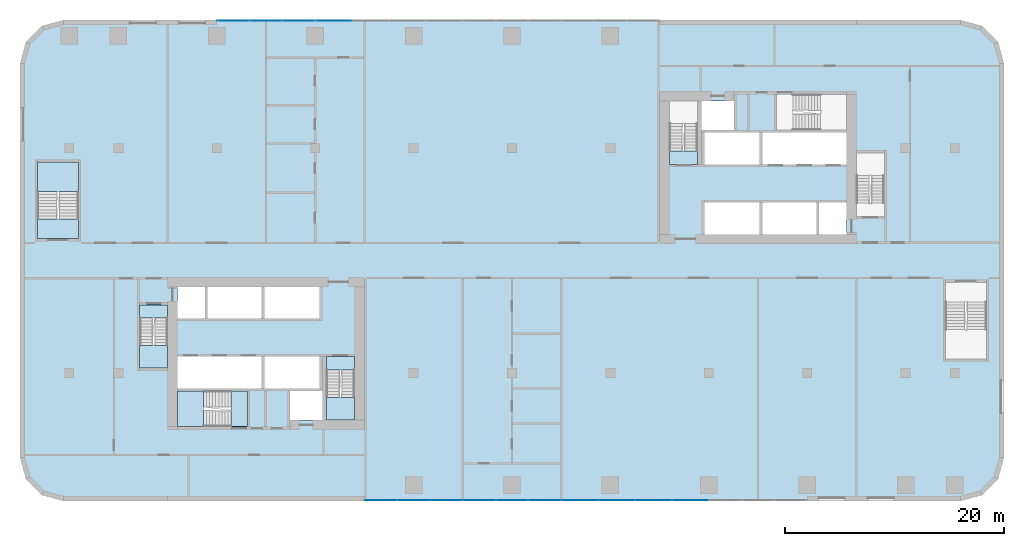
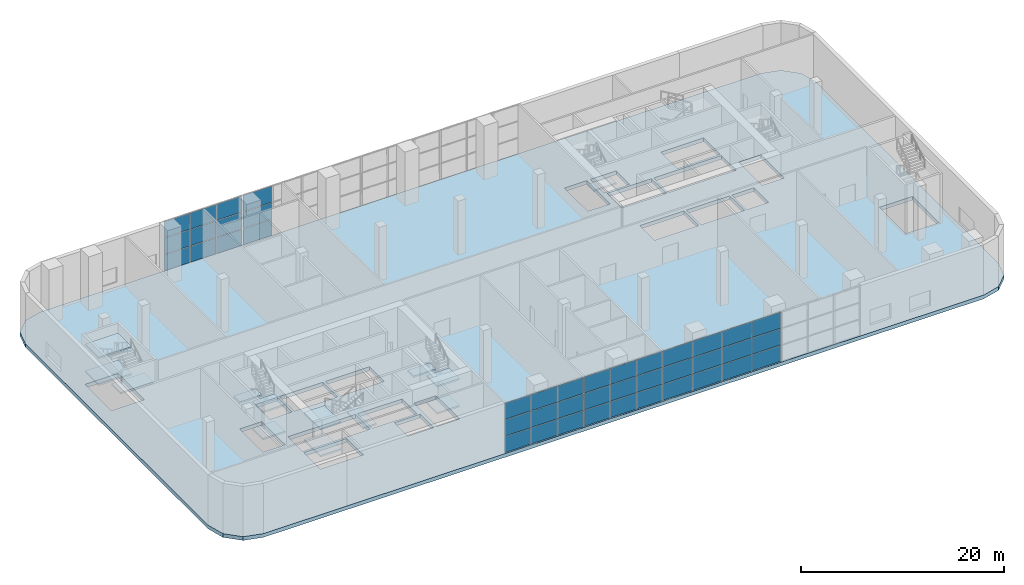
# One storey, part 6 of 24: 42 plates, 14 slabs, 10 elements without a shape of their own.
"""IFC4 building model written with IfcOpenShell, lengths in metres."""

from ifc_helpers import new_model, si_unit, direction, frame, origin, origin_2d, place, context, subcontext, project, spatial, polyline, rectangle, outline, extrude, material, layer, layer_set, type_object, element, aggregate, save


model = new_model("IFC4")

# Units and contexts
model_context = context("Model", 3, precision=1e-05, world=origin(), true_north=direction((0.0, 1.0)))
body_context = subcontext(model_context, "Body", "Model", "MODEL_VIEW")
ifc_project = project(units=[si_unit("LENGTHUNIT", "METRE"), si_unit("AREAUNIT", "SQUARE_METRE"), si_unit("VOLUMEUNIT", "CUBIC_METRE"), si_unit("PLANEANGLEUNIT", "RADIAN"), si_unit("MASSUNIT", "GRAM", prefix="KILO")], contexts=[model_context])

# Site, building, storey
site_placement = place(None, origin())
site = spatial("IfcSite", under=ifc_project, at=site_placement, CompositionType="ELEMENT")
building_placement = place(site_placement, origin())
building = spatial("IfcBuilding", under=site, at=building_placement, Name="Kajstack Hotel Tower", CompositionType="ELEMENT")
storey_placement = place(building_placement, frame((0.0, 0.0, 17.0)))
storey = spatial("IfcBuildingStorey", under=building, at=storey_placement, Name="L02", CompositionType="ELEMENT", Elevation=17.0)

# Curtain wall, plates
ifc_material_1 = material(Name="Aluminium-framed curtain wall, low-iron laminated glass", Category="aluminium")
curtain_wall_type = type_object("IfcCurtainWallType", Name="CW-DINING", PredefinedType="NOTDEFINED", material=ifc_material_1)
curtain_wall_1_placement = place(storey_placement, origin())
curtain_wall_1 = element("IfcCurtainWall", 1, at=curtain_wall_1_placement, inside=storey, type_object=curtain_wall_type, Name="Curtain wall CU2 L02-03-02-0", PredefinedType="NOTDEFINED")
ifc_material_2 = material(Name="Low-iron laminated glass", Category="glass")
ifc_layer_1 = layer(ifc_material_2, 0.030029296875)
ifc_layer_set_1 = layer_set([ifc_layer_1], Name="CW-P-DINING")
plate_type = type_object("IfcPlateType", Name="CW-P-DINING", PredefinedType="CURTAIN_PANEL", material=ifc_layer_set_1)
plate_1_placement = place(storey_placement, frame((-11.985107421875, -21.925048828125, 0.06005859375), z_axis=(0.0, 0.0, 1.0), x_axis=(1.0, 0.0, 0.0)))
plate_1 = element("IfcPlate", 2, at=plate_1_placement, type_object=plate_type, Name="CU2 panel 1.1", PredefinedType="CURTAIN_PANEL", context=body_context, shape_type="SweptSolid", body=[
    extrude(rectangle(XDim=2.909912109375, YDim=0.030029296875, at=origin_2d()), origin(), (0.0, 0.0, 1.0), 1.9267578125),
])
plate_2_placement = place(storey_placement, frame((-11.985107421875, -21.925048828125, 2.046630859375), z_axis=(0.0, 0.0, 1.0), x_axis=(1.0, 0.0, 0.0)))
plate_2 = element("IfcPlate", 3, at=plate_2_placement, type_object=plate_type, Name="CU2 panel 1.2", PredefinedType="CURTAIN_PANEL", context=body_context, shape_type="SweptSolid", body=[
    extrude(rectangle(XDim=2.909912109375, YDim=0.030029296875, at=origin_2d()), origin(), (0.0, 0.0, 1.0), 1.95654296875),
])
plate_3_placement = place(storey_placement, frame((-11.985107421875, -21.925048828125, 4.063232421875), z_axis=(0.0, 0.0, 1.0), x_axis=(1.0, 0.0, 0.0)))
plate_3 = element("IfcPlate", 4, at=plate_3_placement, type_object=plate_type, Name="CU2 panel 1.3", PredefinedType="CURTAIN_PANEL", context=body_context, shape_type="SweptSolid", body=[
    extrude(rectangle(XDim=2.909912109375, YDim=0.030029296875, at=origin_2d()), origin(), (0.0, 0.0, 1.0), 1.9267578125),
])
plate_4_placement = place(storey_placement, frame((-9.0, -21.925048828125, 0.06005859375), z_axis=(0.0, 0.0, 1.0), x_axis=(1.0, 0.0, 0.0)))
plate_4 = element("IfcPlate", 5, at=plate_4_placement, type_object=plate_type, Name="CU2 panel 2.1", PredefinedType="CURTAIN_PANEL", context=body_context, shape_type="SweptSolid", body=[
    extrude(rectangle(XDim=2.93994140625, YDim=0.030029296875, at=origin_2d()), origin(), (0.0, 0.0, 1.0), 1.9267578125),
])
plate_5_placement = place(storey_placement, frame((-9.0, -21.925048828125, 2.046630859375), z_axis=(0.0, 0.0, 1.0), x_axis=(1.0, 0.0, 0.0)))
plate_5 = element("IfcPlate", 6, at=plate_5_placement, type_object=plate_type, Name="CU2 panel 2.2", PredefinedType="CURTAIN_PANEL", context=body_context, shape_type="SweptSolid", body=[
    extrude(rectangle(XDim=2.93994140625, YDim=0.030029296875, at=origin_2d()), origin(), (0.0, 0.0, 1.0), 1.95654296875),
])
plate_6_placement = place(storey_placement, frame((-9.0, -21.925048828125, 4.063232421875), z_axis=(0.0, 0.0, 1.0), x_axis=(1.0, 0.0, 0.0)))
plate_6 = element("IfcPlate", 7, at=plate_6_placement, type_object=plate_type, Name="CU2 panel 2.3", PredefinedType="CURTAIN_PANEL", context=body_context, shape_type="SweptSolid", body=[
    extrude(rectangle(XDim=2.93994140625, YDim=0.030029296875, at=origin_2d()), origin(), (0.0, 0.0, 1.0), 1.9267578125),
])
plate_7_placement = place(storey_placement, frame((-6.014892578125, -21.925048828125, 0.06005859375), z_axis=(0.0, 0.0, 1.0), x_axis=(1.0, 0.0, 0.0)))
plate_7 = element("IfcPlate", 8, at=plate_7_placement, type_object=plate_type, Name="CU2 panel 3.1", PredefinedType="CURTAIN_PANEL", context=body_context, shape_type="SweptSolid", body=[
    extrude(rectangle(XDim=2.909912109375, YDim=0.030029296875, at=origin_2d()), origin(), (0.0, 0.0, 1.0), 1.9267578125),
])
plate_8_placement = place(storey_placement, frame((-6.014892578125, -21.925048828125, 2.046630859375), z_axis=(0.0, 0.0, 1.0), x_axis=(1.0, 0.0, 0.0)))
plate_8 = element("IfcPlate", 9, at=plate_8_placement, type_object=plate_type, Name="CU2 panel 3.2", PredefinedType="CURTAIN_PANEL", context=body_context, shape_type="SweptSolid", body=[
    extrude(rectangle(XDim=2.909912109375, YDim=0.030029296875, at=origin_2d()), origin(), (0.0, 0.0, 1.0), 1.95654296875),
])
plate_9_placement = place(storey_placement, frame((-6.014892578125, -21.925048828125, 4.063232421875), z_axis=(0.0, 0.0, 1.0), x_axis=(1.0, 0.0, 0.0)))
plate_9 = element("IfcPlate", 10, at=plate_9_placement, type_object=plate_type, Name="CU2 panel 3.3", PredefinedType="CURTAIN_PANEL", context=body_context, shape_type="SweptSolid", body=[
    extrude(rectangle(XDim=2.909912109375, YDim=0.030029296875, at=origin_2d()), origin(), (0.0, 0.0, 1.0), 1.9267578125),
])
aggregate(curtain_wall_1, [plate_1, plate_2, plate_3, plate_4, plate_5, plate_6, plate_7, plate_8, plate_9])

curtain_wall_2_placement = place(storey_placement, origin())
curtain_wall_2 = element("IfcCurtainWall", 11, at=curtain_wall_2_placement, inside=storey, type_object=curtain_wall_type, Name="Curtain wall CU2 L02-03-02-1", PredefinedType="NOTDEFINED")
plate_10_placement = place(storey_placement, frame((-2.985107421875, -21.925048828125, 0.06005859375), z_axis=(0.0, 0.0, 1.0), x_axis=(1.0, 0.0, 0.0)))
plate_10 = element("IfcPlate", 12, at=plate_10_placement, type_object=plate_type, Name="CU2 panel 1.1", PredefinedType="CURTAIN_PANEL", context=body_context, shape_type="SweptSolid", body=[
    extrude(rectangle(XDim=2.909912109375, YDim=0.030029296875, at=origin_2d()), origin(), (0.0, 0.0, 1.0), 1.9267578125),
])
plate_11_placement = place(storey_placement, frame((-2.985107421875, -21.925048828125, 2.046630859375), z_axis=(0.0, 0.0, 1.0), x_axis=(1.0, 0.0, 0.0)))
plate_11 = element("IfcPlate", 13, at=plate_11_placement, type_object=plate_type, Name="CU2 panel 1.2", PredefinedType="CURTAIN_PANEL", context=body_context, shape_type="SweptSolid", body=[
    extrude(rectangle(XDim=2.909912109375, YDim=0.030029296875, at=origin_2d()), origin(), (0.0, 0.0, 1.0), 1.95654296875),
])
plate_12_placement = place(storey_placement, frame((-2.985107421875, -21.925048828125, 4.063232421875), z_axis=(0.0, 0.0, 1.0), x_axis=(1.0, 0.0, 0.0)))
plate_12 = element("IfcPlate", 14, at=plate_12_placement, type_object=plate_type, Name="CU2 panel 1.3", PredefinedType="CURTAIN_PANEL", context=body_context, shape_type="SweptSolid", body=[
    extrude(rectangle(XDim=2.909912109375, YDim=0.030029296875, at=origin_2d()), origin(), (0.0, 0.0, 1.0), 1.9267578125),
])
plate_13_placement = place(storey_placement, frame((0.0, -21.925048828125, 0.06005859375), z_axis=(0.0, 0.0, 1.0), x_axis=(1.0, 0.0, 0.0)))
plate_13 = element("IfcPlate", 15, at=plate_13_placement, type_object=plate_type, Name="CU2 panel 2.1", PredefinedType="CURTAIN_PANEL", context=body_context, shape_type="SweptSolid", body=[
    extrude(rectangle(XDim=2.93994140625, YDim=0.030029296875, at=origin_2d()), origin(), (0.0, 0.0, 1.0), 1.9267578125),
])
plate_14_placement = place(storey_placement, frame((0.0, -21.925048828125, 2.046630859375), z_axis=(0.0, 0.0, 1.0), x_axis=(1.0, 0.0, 0.0)))
plate_14 = element("IfcPlate", 16, at=plate_14_placement, type_object=plate_type, Name="CU2 panel 2.2", PredefinedType="CURTAIN_PANEL", context=body_context, shape_type="SweptSolid", body=[
    extrude(rectangle(XDim=2.93994140625, YDim=0.030029296875, at=origin_2d()), origin(), (0.0, 0.0, 1.0), 1.95654296875),
])
plate_15_placement = place(storey_placement, frame((0.0, -21.925048828125, 4.063232421875), z_axis=(0.0, 0.0, 1.0), x_axis=(1.0, 0.0, 0.0)))
plate_15 = element("IfcPlate", 17, at=plate_15_placement, type_object=plate_type, Name="CU2 panel 2.3", PredefinedType="CURTAIN_PANEL", context=body_context, shape_type="SweptSolid", body=[
    extrude(rectangle(XDim=2.93994140625, YDim=0.030029296875, at=origin_2d()), origin(), (0.0, 0.0, 1.0), 1.9267578125),
])
plate_16_placement = place(storey_placement, frame((2.985107421875, -21.925048828125, 0.06005859375), z_axis=(0.0, 0.0, 1.0), x_axis=(1.0, 0.0, 0.0)))
plate_16 = element("IfcPlate", 18, at=plate_16_placement, type_object=plate_type, Name="CU2 panel 3.1", PredefinedType="CURTAIN_PANEL", context=body_context, shape_type="SweptSolid", body=[
    extrude(rectangle(XDim=2.909912109375, YDim=0.030029296875, at=origin_2d()), origin(), (0.0, 0.0, 1.0), 1.9267578125),
])
plate_17_placement = place(storey_placement, frame((2.985107421875, -21.925048828125, 2.046630859375), z_axis=(0.0, 0.0, 1.0), x_axis=(1.0, 0.0, 0.0)))
plate_17 = element("IfcPlate", 19, at=plate_17_placement, type_object=plate_type, Name="CU2 panel 3.2", PredefinedType="CURTAIN_PANEL", context=body_context, shape_type="SweptSolid", body=[
    extrude(rectangle(XDim=2.909912109375, YDim=0.030029296875, at=origin_2d()), origin(), (0.0, 0.0, 1.0), 1.95654296875),
])
plate_18_placement = place(storey_placement, frame((2.985107421875, -21.925048828125, 4.063232421875), z_axis=(0.0, 0.0, 1.0), x_axis=(1.0, 0.0, 0.0)))
plate_18 = element("IfcPlate", 20, at=plate_18_placement, type_object=plate_type, Name="CU2 panel 3.3", PredefinedType="CURTAIN_PANEL", context=body_context, shape_type="SweptSolid", body=[
    extrude(rectangle(XDim=2.909912109375, YDim=0.030029296875, at=origin_2d()), origin(), (0.0, 0.0, 1.0), 1.9267578125),
])
aggregate(curtain_wall_2, [plate_10, plate_11, plate_12, plate_13, plate_14, plate_15, plate_16, plate_17, plate_18])

curtain_wall_3_placement = place(storey_placement, origin())
curtain_wall_3 = element("IfcCurtainWall", 21, at=curtain_wall_3_placement, inside=storey, type_object=curtain_wall_type, Name="Curtain wall CU2 L02-03-02-2", PredefinedType="NOTDEFINED")
plate_19_placement = place(storey_placement, frame((6.202392578125, -21.925048828125, 0.06005859375), z_axis=(0.0, 0.0, 1.0), x_axis=(1.0, 0.0, 0.0)))
plate_19 = element("IfcPlate", 22, at=plate_19_placement, type_object=plate_type, Name="CU2 panel 1.1", PredefinedType="CURTAIN_PANEL", context=body_context, shape_type="SweptSolid", body=[
    extrude(rectangle(XDim=3.284912109375, YDim=0.030029296875, at=origin_2d()), origin(), (0.0, 0.0, 1.0), 1.9267578125),
])
plate_20_placement = place(storey_placement, frame((6.202392578125, -21.925048828125, 2.046630859375), z_axis=(0.0, 0.0, 1.0), x_axis=(1.0, 0.0, 0.0)))
plate_20 = element("IfcPlate", 23, at=plate_20_placement, type_object=plate_type, Name="CU2 panel 1.2", PredefinedType="CURTAIN_PANEL", context=body_context, shape_type="SweptSolid", body=[
    extrude(rectangle(XDim=3.284912109375, YDim=0.030029296875, at=origin_2d()), origin(), (0.0, 0.0, 1.0), 1.95654296875),
])
plate_21_placement = place(storey_placement, frame((6.202392578125, -21.925048828125, 4.063232421875), z_axis=(0.0, 0.0, 1.0), x_axis=(1.0, 0.0, 0.0)))
plate_21 = element("IfcPlate", 24, at=plate_21_placement, type_object=plate_type, Name="CU2 panel 1.3", PredefinedType="CURTAIN_PANEL", context=body_context, shape_type="SweptSolid", body=[
    extrude(rectangle(XDim=3.284912109375, YDim=0.030029296875, at=origin_2d()), origin(), (0.0, 0.0, 1.0), 1.9267578125),
])
plate_22_placement = place(storey_placement, frame((9.5625, -21.925048828125, 0.06005859375), z_axis=(0.0, 0.0, 1.0), x_axis=(1.0, 0.0, 0.0)))
plate_22 = element("IfcPlate", 25, at=plate_22_placement, type_object=plate_type, Name="CU2 panel 2.1", PredefinedType="CURTAIN_PANEL", context=body_context, shape_type="SweptSolid", body=[
    extrude(rectangle(XDim=3.31494140625, YDim=0.030029296875, at=origin_2d()), origin(), (0.0, 0.0, 1.0), 1.9267578125),
])
plate_23_placement = place(storey_placement, frame((9.5625, -21.925048828125, 2.046630859375), z_axis=(0.0, 0.0, 1.0), x_axis=(1.0, 0.0, 0.0)))
plate_23 = element("IfcPlate", 26, at=plate_23_placement, type_object=plate_type, Name="CU2 panel 2.2", PredefinedType="CURTAIN_PANEL", context=body_context, shape_type="SweptSolid", body=[
    extrude(rectangle(XDim=3.31494140625, YDim=0.030029296875, at=origin_2d()), origin(), (0.0, 0.0, 1.0), 1.95654296875),
])
plate_24_placement = place(storey_placement, frame((9.5625, -21.925048828125, 4.063232421875), z_axis=(0.0, 0.0, 1.0), x_axis=(1.0, 0.0, 0.0)))
plate_24 = element("IfcPlate", 27, at=plate_24_placement, type_object=plate_type, Name="CU2 panel 2.3", PredefinedType="CURTAIN_PANEL", context=body_context, shape_type="SweptSolid", body=[
    extrude(rectangle(XDim=3.31494140625, YDim=0.030029296875, at=origin_2d()), origin(), (0.0, 0.0, 1.0), 1.9267578125),
])
plate_25_placement = place(storey_placement, frame((12.9375, -21.925048828125, 0.06005859375), z_axis=(0.0, 0.0, 1.0), x_axis=(1.0, 0.0, 0.0)))
plate_25 = element("IfcPlate", 28, at=plate_25_placement, type_object=plate_type, Name="CU2 panel 3.1", PredefinedType="CURTAIN_PANEL", context=body_context, shape_type="SweptSolid", body=[
    extrude(rectangle(XDim=3.31494140625, YDim=0.030029296875, at=origin_2d()), origin(), (0.0, 0.0, 1.0), 1.9267578125),
])
plate_26_placement = place(storey_placement, frame((12.9375, -21.925048828125, 2.046630859375), z_axis=(0.0, 0.0, 1.0), x_axis=(1.0, 0.0, 0.0)))
plate_26 = element("IfcPlate", 29, at=plate_26_placement, type_object=plate_type, Name="CU2 panel 3.2", PredefinedType="CURTAIN_PANEL", context=body_context, shape_type="SweptSolid", body=[
    extrude(rectangle(XDim=3.31494140625, YDim=0.030029296875, at=origin_2d()), origin(), (0.0, 0.0, 1.0), 1.95654296875),
])
plate_27_placement = place(storey_placement, frame((12.9375, -21.925048828125, 4.063232421875), z_axis=(0.0, 0.0, 1.0), x_axis=(1.0, 0.0, 0.0)))
plate_27 = element("IfcPlate", 30, at=plate_27_placement, type_object=plate_type, Name="CU2 panel 3.3", PredefinedType="CURTAIN_PANEL", context=body_context, shape_type="SweptSolid", body=[
    extrude(rectangle(XDim=3.31494140625, YDim=0.030029296875, at=origin_2d()), origin(), (0.0, 0.0, 1.0), 1.9267578125),
])
plate_28_placement = place(storey_placement, frame((16.297607421875, -21.925048828125, 0.06005859375), z_axis=(0.0, 0.0, 1.0), x_axis=(1.0, 0.0, 0.0)))
plate_28 = element("IfcPlate", 31, at=plate_28_placement, type_object=plate_type, Name="CU2 panel 4.1", PredefinedType="CURTAIN_PANEL", context=body_context, shape_type="SweptSolid", body=[
    extrude(rectangle(XDim=3.284912109375, YDim=0.030029296875, at=origin_2d()), origin(), (0.0, 0.0, 1.0), 1.9267578125),
])
plate_29_placement = place(storey_placement, frame((16.297607421875, -21.925048828125, 2.046630859375), z_axis=(0.0, 0.0, 1.0), x_axis=(1.0, 0.0, 0.0)))
plate_29 = element("IfcPlate", 32, at=plate_29_placement, type_object=plate_type, Name="CU2 panel 4.2", PredefinedType="CURTAIN_PANEL", context=body_context, shape_type="SweptSolid", body=[
    extrude(rectangle(XDim=3.284912109375, YDim=0.030029296875, at=origin_2d()), origin(), (0.0, 0.0, 1.0), 1.95654296875),
])
plate_30_placement = place(storey_placement, frame((16.297607421875, -21.925048828125, 4.063232421875), z_axis=(0.0, 0.0, 1.0), x_axis=(1.0, 0.0, 0.0)))
plate_30 = element("IfcPlate", 33, at=plate_30_placement, type_object=plate_type, Name="CU2 panel 4.3", PredefinedType="CURTAIN_PANEL", context=body_context, shape_type="SweptSolid", body=[
    extrude(rectangle(XDim=3.284912109375, YDim=0.030029296875, at=origin_2d()), origin(), (0.0, 0.0, 1.0), 1.9267578125),
])
aggregate(curtain_wall_3, [plate_19, plate_20, plate_21, plate_22, plate_23, plate_24, plate_25, plate_26, plate_27, plate_28, plate_29, plate_30])

curtain_wall_4_placement = place(storey_placement, origin())
curtain_wall_4 = element("IfcCurtainWall", 34, at=curtain_wall_4_placement, inside=storey, type_object=curtain_wall_type, Name="Curtain wall CU2 L02-11-02-2", PredefinedType="NOTDEFINED")
plate_31_placement = place(storey_placement, frame((-16.297607421875, 21.925048828125, 0.06005859375), z_axis=(0.0, 0.0, 1.0), x_axis=(-1.0, 0.0, 0.0)))
plate_31 = element("IfcPlate", 35, at=plate_31_placement, type_object=plate_type, Name="CU2 panel 4.1", PredefinedType="CURTAIN_PANEL", context=body_context, shape_type="SweptSolid", body=[
    extrude(rectangle(XDim=3.284912109375, YDim=0.030029296875, at=origin_2d()), origin(), (0.0, 0.0, 1.0), 1.9267578125),
])
plate_32_placement = place(storey_placement, frame((-16.297607421875, 21.925048828125, 2.046630859375), z_axis=(0.0, 0.0, 1.0), x_axis=(-1.0, 0.0, 0.0)))
plate_32 = element("IfcPlate", 36, at=plate_32_placement, type_object=plate_type, Name="CU2 panel 4.2", PredefinedType="CURTAIN_PANEL", context=body_context, shape_type="SweptSolid", body=[
    extrude(rectangle(XDim=3.284912109375, YDim=0.030029296875, at=origin_2d()), origin(), (0.0, 0.0, 1.0), 1.95654296875),
])
plate_33_placement = place(storey_placement, frame((-16.297607421875, 21.925048828125, 4.063232421875), z_axis=(0.0, 0.0, 1.0), x_axis=(-1.0, 0.0, 0.0)))
plate_33 = element("IfcPlate", 37, at=plate_33_placement, type_object=plate_type, Name="CU2 panel 4.3", PredefinedType="CURTAIN_PANEL", context=body_context, shape_type="SweptSolid", body=[
    extrude(rectangle(XDim=3.284912109375, YDim=0.030029296875, at=origin_2d()), origin(), (0.0, 0.0, 1.0), 1.9267578125),
])
aggregate(curtain_wall_4, [plate_31, plate_32, plate_33])

curtain_wall_5_placement = place(storey_placement, origin())
curtain_wall_5 = element("IfcCurtainWall", 38, at=curtain_wall_5_placement, inside=storey, type_object=curtain_wall_type, Name="Curtain wall CU2 L02-11-02-3", PredefinedType="NOTDEFINED")
plate_34_placement = place(storey_placement, frame((-19.514892578125, 21.925048828125, 0.06005859375), z_axis=(0.0, 0.0, 1.0), x_axis=(-1.0, 0.0, 0.0)))
plate_34 = element("IfcPlate", 39, at=plate_34_placement, type_object=plate_type, Name="CU2 panel 1.1", PredefinedType="CURTAIN_PANEL", context=body_context, shape_type="SweptSolid", body=[
    extrude(rectangle(XDim=2.909912109375, YDim=0.030029296875, at=origin_2d()), origin(), (0.0, 0.0, 1.0), 1.9267578125),
])
plate_35_placement = place(storey_placement, frame((-19.514892578125, 21.925048828125, 2.046630859375), z_axis=(0.0, 0.0, 1.0), x_axis=(-1.0, 0.0, 0.0)))
plate_35 = element("IfcPlate", 40, at=plate_35_placement, type_object=plate_type, Name="CU2 panel 1.2", PredefinedType="CURTAIN_PANEL", context=body_context, shape_type="SweptSolid", body=[
    extrude(rectangle(XDim=2.909912109375, YDim=0.030029296875, at=origin_2d()), origin(), (0.0, 0.0, 1.0), 1.95654296875),
])
plate_36_placement = place(storey_placement, frame((-19.514892578125, 21.925048828125, 4.063232421875), z_axis=(0.0, 0.0, 1.0), x_axis=(-1.0, 0.0, 0.0)))
plate_36 = element("IfcPlate", 41, at=plate_36_placement, type_object=plate_type, Name="CU2 panel 1.3", PredefinedType="CURTAIN_PANEL", context=body_context, shape_type="SweptSolid", body=[
    extrude(rectangle(XDim=2.909912109375, YDim=0.030029296875, at=origin_2d()), origin(), (0.0, 0.0, 1.0), 1.9267578125),
])
plate_37_placement = place(storey_placement, frame((-22.5, 21.925048828125, 0.06005859375), z_axis=(0.0, 0.0, 1.0), x_axis=(-1.0, 0.0, 0.0)))
plate_37 = element("IfcPlate", 42, at=plate_37_placement, type_object=plate_type, Name="CU2 panel 2.1", PredefinedType="CURTAIN_PANEL", context=body_context, shape_type="SweptSolid", body=[
    extrude(rectangle(XDim=2.93994140625, YDim=0.030029296875, at=origin_2d()), origin(), (0.0, 0.0, 1.0), 1.9267578125),
])
plate_38_placement = place(storey_placement, frame((-22.5, 21.925048828125, 2.046630859375), z_axis=(0.0, 0.0, 1.0), x_axis=(-1.0, 0.0, 0.0)))
plate_38 = element("IfcPlate", 43, at=plate_38_placement, type_object=plate_type, Name="CU2 panel 2.2", PredefinedType="CURTAIN_PANEL", context=body_context, shape_type="SweptSolid", body=[
    extrude(rectangle(XDim=2.93994140625, YDim=0.030029296875, at=origin_2d()), origin(), (0.0, 0.0, 1.0), 1.95654296875),
])
plate_39_placement = place(storey_placement, frame((-22.5, 21.925048828125, 4.063232421875), z_axis=(0.0, 0.0, 1.0), x_axis=(-1.0, 0.0, 0.0)))
plate_39 = element("IfcPlate", 44, at=plate_39_placement, type_object=plate_type, Name="CU2 panel 2.3", PredefinedType="CURTAIN_PANEL", context=body_context, shape_type="SweptSolid", body=[
    extrude(rectangle(XDim=2.93994140625, YDim=0.030029296875, at=origin_2d()), origin(), (0.0, 0.0, 1.0), 1.9267578125),
])
plate_40_placement = place(storey_placement, frame((-25.485107421875, 21.925048828125, 0.06005859375), z_axis=(0.0, 0.0, 1.0), x_axis=(-1.0, 0.0, 0.0)))
plate_40 = element("IfcPlate", 45, at=plate_40_placement, type_object=plate_type, Name="CU2 panel 3.1", PredefinedType="CURTAIN_PANEL", context=body_context, shape_type="SweptSolid", body=[
    extrude(rectangle(XDim=2.909912109375, YDim=0.030029296875, at=origin_2d()), origin(), (0.0, 0.0, 1.0), 1.9267578125),
])
plate_41_placement = place(storey_placement, frame((-25.485107421875, 21.925048828125, 2.046630859375), z_axis=(0.0, 0.0, 1.0), x_axis=(-1.0, 0.0, 0.0)))
plate_41 = element("IfcPlate", 46, at=plate_41_placement, type_object=plate_type, Name="CU2 panel 3.2", PredefinedType="CURTAIN_PANEL", context=body_context, shape_type="SweptSolid", body=[
    extrude(rectangle(XDim=2.909912109375, YDim=0.030029296875, at=origin_2d()), origin(), (0.0, 0.0, 1.0), 1.95654296875),
])
plate_42_placement = place(storey_placement, frame((-25.485107421875, 21.925048828125, 4.063232421875), z_axis=(0.0, 0.0, 1.0), x_axis=(-1.0, 0.0, 0.0)))
plate_42 = element("IfcPlate", 47, at=plate_42_placement, type_object=plate_type, Name="CU2 panel 3.3", PredefinedType="CURTAIN_PANEL", context=body_context, shape_type="SweptSolid", body=[
    extrude(rectangle(XDim=2.909912109375, YDim=0.030029296875, at=origin_2d()), origin(), (0.0, 0.0, 1.0), 1.9267578125),
])
aggregate(curtain_wall_5, [plate_34, plate_35, plate_36, plate_37, plate_38, plate_39, plate_40, plate_41, plate_42])

# Slab
ifc_material_3 = material(Name="Concrete C45/55", Category="concrete")
ifc_layer_2 = layer(ifc_material_3, 0.449951171875)
ifc_layer_set_2 = layer_set([ifc_layer_2], Name="RC slab 450 C45/55 podium")
slab_type_1 = type_object("IfcSlabType", Name="RC slab 450 C45/55 podium", PredefinedType="FLOOR", material=ifc_layer_set_2)
slab_1_placement = place(storey_placement, frame((0.0, 0.0, -0.449951171875)))
element("IfcSlab", 48, at=slab_1_placement, inside=storey, type_object=slab_type_1, Name="S-slab-L02", PredefinedType="FLOOR", context=body_context, shape_type="SweptSolid", body=[
    extrude(outline(polyline([(-45.0, -18.0), (-44.464111328125, -20.0), (-43.0, -21.464111328125), (-41.0, -22.0), (41.0, -22.0), (43.0, -21.464111328125), (44.464111328125, -20.0), (45.0, -18.0), (45.0, 18.0), (44.464111328125, 20.0), (43.0, 21.464111328125), (41.0, 22.0), (-41.0, 22.0), (-43.0, 21.464111328125), (-44.464111328125, 20.0), (-45.0, 18.0), (-45.0, -18.0)]), holes=[polyline([(-30.60009765625, -11.699951171875), (-30.60009765625, -8.800048828125), (-22.89990234375, -8.800048828125), (-22.89990234375, -11.699951171875), (-30.60009765625, -11.699951171875)]), polyline([(-22.64990234375, -11.699951171875), (-22.64990234375, -8.800048828125), (-17.60009765625, -8.800048828125), (-17.60009765625, -11.699951171875), (-22.64990234375, -11.699951171875)]), polyline([(-27.85009765625, -5.300048828125), (-27.85009765625, -2.39990234375), (-22.89990234375, -2.39990234375), (-22.89990234375, -5.300048828125), (-27.85009765625, -5.300048828125)]), polyline([(-22.64990234375, -5.300048828125), (-22.64990234375, -2.39990234375), (-17.60009765625, -2.39990234375), (-17.60009765625, -5.300048828125), (-22.64990234375, -5.300048828125)]), polyline([(-20.300048828125, -14.60009765625), (-17.35009765625, -14.60009765625), (-17.35009765625, -11.949951171875), (-20.300048828125, -11.949951171875), (-20.300048828125, -14.60009765625)]), polyline([(-30.60009765625, -5.300048828125), (-28.10009765625, -5.300048828125), (-28.10009765625, -2.39990234375), (-30.60009765625, -2.39990234375), (-30.60009765625, -5.300048828125)]), polyline([(22.89990234375, 8.800048828125), (22.89990234375, 11.699951171875), (30.60009765625, 11.699951171875), (30.60009765625, 8.800048828125), (22.89990234375, 8.800048828125)]), polyline([(17.60009765625, 8.800048828125), (17.60009765625, 11.699951171875), (22.64990234375, 11.699951171875), (22.64990234375, 8.800048828125), (17.60009765625, 8.800048828125)]), polyline([(22.89990234375, 2.39990234375), (22.89990234375, 5.300048828125), (27.85009765625, 5.300048828125), (27.85009765625, 2.39990234375), (22.89990234375, 2.39990234375)]), polyline([(17.60009765625, 2.39990234375), (17.60009765625, 5.300048828125), (22.64990234375, 5.300048828125), (22.64990234375, 2.39990234375), (17.60009765625, 2.39990234375)]), polyline([(20.300048828125, 14.60009765625), (17.35009765625, 14.60009765625), (17.35009765625, 11.949951171875), (20.300048828125, 11.949951171875), (20.300048828125, 14.60009765625)]), polyline([(30.60009765625, 5.300048828125), (28.10009765625, 5.300048828125), (28.10009765625, 2.39990234375), (30.60009765625, 2.39990234375), (30.60009765625, 5.300048828125)]), polyline([(-34.050048828125, -9.85009765625), (-31.5, -9.85009765625), (-31.5, -5.25), (-34.050048828125, -5.25), (-34.050048828125, -9.85009765625)]), polyline([(-16.949951171875, -14.60009765625), (-14.39990234375, -14.60009765625), (-14.39990234375, -10.0), (-16.949951171875, -10.0), (-16.949951171875, -14.60009765625)]), polyline([(-30.60009765625, -15.199951171875), (-25.699951171875, -15.199951171875), (-25.699951171875, -11.949951171875), (-30.60009765625, -11.949951171875), (-30.60009765625, -15.199951171875)]), polyline([(34.050048828125, 9.85009765625), (31.5, 9.85009765625), (31.5, 5.25), (34.050048828125, 5.25), (34.050048828125, 9.85009765625)]), polyline([(16.949951171875, 14.60009765625), (14.39990234375, 14.60009765625), (14.39990234375, 10.0), (16.949951171875, 10.0), (16.949951171875, 14.60009765625)]), polyline([(30.60009765625, 15.199951171875), (25.699951171875, 15.199951171875), (25.699951171875, 11.949951171875), (30.60009765625, 11.949951171875), (30.60009765625, 15.199951171875)]), polyline([(-43.39990234375, 3.800048828125), (-39.64990234375, 3.800048828125), (-39.64990234375, 9.0), (-43.39990234375, 9.0), (-43.39990234375, 3.800048828125)]), polyline([(39.64990234375, -9.0), (43.39990234375, -9.0), (43.39990234375, -3.800048828125), (39.64990234375, -3.800048828125), (39.64990234375, -9.0)])]), origin(), (0.0, 0.0, 1.0), 0.449951171875),
])

# Stair, slabs
ifc_material_4 = material(Name="Concrete C40/50", Category="concrete")
stair_type_1 = type_object("IfcStairType", Name="Exit stair 1200", PredefinedType="HALF_TURN_STAIR", material=ifc_material_4)
stair_1_placement = place(storey_placement, origin())
stair_1 = element("IfcStair", 49, at=stair_1_placement, inside=storey, type_object=stair_type_1, Name="L02 stair W1", PredefinedType="HALF_TURN_STAIR")
ifc_layer_3 = layer(ifc_material_4, 0.199951171875)
ifc_layer_set_3 = layer_set([ifc_layer_3], Name="Stair landing 200")
slab_type_2 = type_object("IfcSlabType", Name="Stair landing 200", PredefinedType="LANDING", material=ifc_layer_set_3)
slab_2_placement = place(storey_placement, frame((0.0, 0.0, 1.425048828125)))
slab_2 = element("IfcSlab", 50, at=slab_2_placement, type_object=slab_type_2, Name="W1 landing 1", PredefinedType="LANDING", context=body_context, shape_type="SweptSolid", body=[
    extrude(outline(polyline([(-34.050048828125, -7.77001953125), (-34.050048828125, -9.85009765625), (-31.5, -9.85009765625), (-31.5, -7.77001953125), (-34.050048828125, -7.77001953125)])), origin(), (0.0, 0.0, 1.0), 0.199951171875),
])
slab_3_placement = place(storey_placement, frame((0.0, 0.0, 3.050048828125)))
slab_3 = element("IfcSlab", 51, at=slab_3_placement, type_object=slab_type_2, Name="W1 landing 2", PredefinedType="LANDING", context=body_context, shape_type="SweptSolid", body=[
    extrude(outline(polyline([(-34.050048828125, -4.050048828125), (-34.050048828125, -5.25), (-31.5, -5.25), (-31.5, -4.050048828125), (-34.050048828125, -4.050048828125)])), origin(), (0.0, 0.0, 1.0), 0.199951171875),
])
slab_4_placement = place(storey_placement, frame((0.0, 0.0, 4.675048828125)))
slab_4 = element("IfcSlab", 52, at=slab_4_placement, type_object=slab_type_2, Name="W1 landing 3", PredefinedType="LANDING", context=body_context, shape_type="SweptSolid", body=[
    extrude(outline(polyline([(-34.050048828125, -7.77001953125), (-34.050048828125, -9.85009765625), (-31.5, -9.85009765625), (-31.5, -7.77001953125), (-34.050048828125, -7.77001953125)])), origin(), (0.0, 0.0, 1.0), 0.199951171875),
])
aggregate(stair_1, [slab_2, slab_3, slab_4])

stair_2_placement = place(storey_placement, origin())
stair_2 = element("IfcStair", 53, at=stair_2_placement, inside=storey, type_object=stair_type_1, Name="L02 stair W2", PredefinedType="HALF_TURN_STAIR")
slab_5_placement = place(storey_placement, frame((0.0, 0.0, 1.425048828125)))
slab_5 = element("IfcSlab", 54, at=slab_5_placement, type_object=slab_type_2, Name="W2 landing 1", PredefinedType="LANDING", context=body_context, shape_type="SweptSolid", body=[
    extrude(outline(polyline([(-16.949951171875, -12.52001953125), (-16.949951171875, -14.60009765625), (-14.39990234375, -14.60009765625), (-14.39990234375, -12.52001953125), (-16.949951171875, -12.52001953125)])), origin(), (0.0, 0.0, 1.0), 0.199951171875),
])
slab_6_placement = place(storey_placement, frame((0.0, 0.0, 3.050048828125)))
slab_6 = element("IfcSlab", 55, at=slab_6_placement, type_object=slab_type_2, Name="W2 landing 2", PredefinedType="LANDING", context=body_context, shape_type="SweptSolid", body=[
    extrude(outline(polyline([(-16.949951171875, -8.800048828125), (-16.949951171875, -10.0), (-14.39990234375, -10.0), (-14.39990234375, -8.800048828125), (-16.949951171875, -8.800048828125)])), origin(), (0.0, 0.0, 1.0), 0.199951171875),
])
slab_7_placement = place(storey_placement, frame((0.0, 0.0, 4.675048828125)))
slab_7 = element("IfcSlab", 56, at=slab_7_placement, type_object=slab_type_2, Name="W2 landing 3", PredefinedType="LANDING", context=body_context, shape_type="SweptSolid", body=[
    extrude(outline(polyline([(-16.949951171875, -12.52001953125), (-16.949951171875, -14.60009765625), (-14.39990234375, -14.60009765625), (-14.39990234375, -12.52001953125), (-16.949951171875, -12.52001953125)])), origin(), (0.0, 0.0, 1.0), 0.199951171875),
])
aggregate(stair_2, [slab_5, slab_6, slab_7])

stair_type_2 = type_object("IfcStairType", Name="Exit stair 1500", PredefinedType="HALF_TURN_STAIR", material=ifc_material_4)
stair_3_placement = place(storey_placement, origin())
stair_3 = element("IfcStair", 57, at=stair_3_placement, inside=storey, type_object=stair_type_2, Name="L02 stair W3", PredefinedType="HALF_TURN_STAIR")
slab_8_placement = place(storey_placement, frame((0.0, 0.0, 1.425048828125)))
slab_8 = element("IfcSlab", 58, at=slab_8_placement, type_object=slab_type_2, Name="W3 landing 1", PredefinedType="LANDING", context=body_context, shape_type="SweptSolid", body=[
    extrude(outline(polyline([(-28.219970703125, -11.949951171875), (-30.60009765625, -11.949951171875), (-30.60009765625, -15.199951171875), (-28.219970703125, -15.199951171875), (-28.219970703125, -11.949951171875)])), origin(), (0.0, 0.0, 1.0), 0.199951171875),
])
slab_9_placement = place(storey_placement, frame((0.0, 0.0, 3.050048828125)))
slab_9 = element("IfcSlab", 59, at=slab_9_placement, type_object=slab_type_2, Name="W3 landing 2", PredefinedType="LANDING", context=body_context, shape_type="SweptSolid", body=[
    extrude(outline(polyline([(-24.199951171875, -11.949951171875), (-25.699951171875, -11.949951171875), (-25.699951171875, -15.199951171875), (-24.199951171875, -15.199951171875), (-24.199951171875, -11.949951171875)])), origin(), (0.0, 0.0, 1.0), 0.199951171875),
])
slab_10_placement = place(storey_placement, frame((0.0, 0.0, 4.675048828125)))
slab_10 = element("IfcSlab", 60, at=slab_10_placement, type_object=slab_type_2, Name="W3 landing 3", PredefinedType="LANDING", context=body_context, shape_type="SweptSolid", body=[
    extrude(outline(polyline([(-28.219970703125, -11.949951171875), (-30.60009765625, -11.949951171875), (-30.60009765625, -15.199951171875), (-28.219970703125, -15.199951171875), (-28.219970703125, -11.949951171875)])), origin(), (0.0, 0.0, 1.0), 0.199951171875),
])
aggregate(stair_3, [slab_8, slab_9, slab_10])

# Stair, slab
stair_4_placement = place(storey_placement, origin())
stair_4 = element("IfcStair", 61, at=stair_4_placement, inside=storey, type_object=stair_type_1, Name="L02 stair E2", PredefinedType="HALF_TURN_STAIR")
slab_11_placement = place(storey_placement, frame((0.0, 0.0, 3.050048828125)))
slab_11 = element("IfcSlab", 62, at=slab_11_placement, type_object=slab_type_2, Name="E2 landing 2", PredefinedType="LANDING", context=body_context, shape_type="SweptSolid", body=[
    extrude(outline(polyline([(16.949951171875, 8.800048828125), (16.949951171875, 10.0), (14.39990234375, 10.0), (14.39990234375, 8.800048828125), (16.949951171875, 8.800048828125)])), origin(), (0.0, 0.0, 1.0), 0.199951171875),
])
aggregate(stair_4, [slab_11])

# Stair, slabs
stair_type_3 = type_object("IfcStairType", Name="Escape stair 1800", PredefinedType="HALF_TURN_STAIR", material=ifc_material_4)
stair_5_placement = place(storey_placement, origin())
stair_5 = element("IfcStair", 63, at=stair_5_placement, inside=storey, type_object=stair_type_3, Name="L02 stair P1", PredefinedType="HALF_TURN_STAIR")
slab_12_placement = place(storey_placement, frame((0.0, 0.0, 1.425048828125)))
slab_12 = element("IfcSlab", 64, at=slab_12_placement, type_object=slab_type_2, Name="P1 landing 1", PredefinedType="LANDING", context=body_context, shape_type="SweptSolid", body=[
    extrude(outline(polyline([(-39.64990234375, 6.320068359375), (-39.64990234375, 9.0), (-43.39990234375, 9.0), (-43.39990234375, 6.320068359375), (-39.64990234375, 6.320068359375)])), origin(), (0.0, 0.0, 1.0), 0.199951171875),
])
slab_13_placement = place(storey_placement, frame((0.0, 0.0, 3.050048828125)))
slab_13 = element("IfcSlab", 65, at=slab_13_placement, type_object=slab_type_2, Name="P1 landing 2", PredefinedType="LANDING", context=body_context, shape_type="SweptSolid", body=[
    extrude(outline(polyline([(-39.64990234375, 2.0), (-39.64990234375, 3.800048828125), (-43.39990234375, 3.800048828125), (-43.39990234375, 2.0), (-39.64990234375, 2.0)])), origin(), (0.0, 0.0, 1.0), 0.199951171875),
])
slab_14_placement = place(storey_placement, frame((0.0, 0.0, 4.675048828125)))
slab_14 = element("IfcSlab", 66, at=slab_14_placement, type_object=slab_type_2, Name="P1 landing 3", PredefinedType="LANDING", context=body_context, shape_type="SweptSolid", body=[
    extrude(outline(polyline([(-39.64990234375, 6.320068359375), (-39.64990234375, 9.0), (-43.39990234375, 9.0), (-43.39990234375, 6.320068359375), (-39.64990234375, 6.320068359375)])), origin(), (0.0, 0.0, 1.0), 0.199951171875),
])
aggregate(stair_5, [slab_12, slab_13, slab_14])

save(model, "model.ifc")
